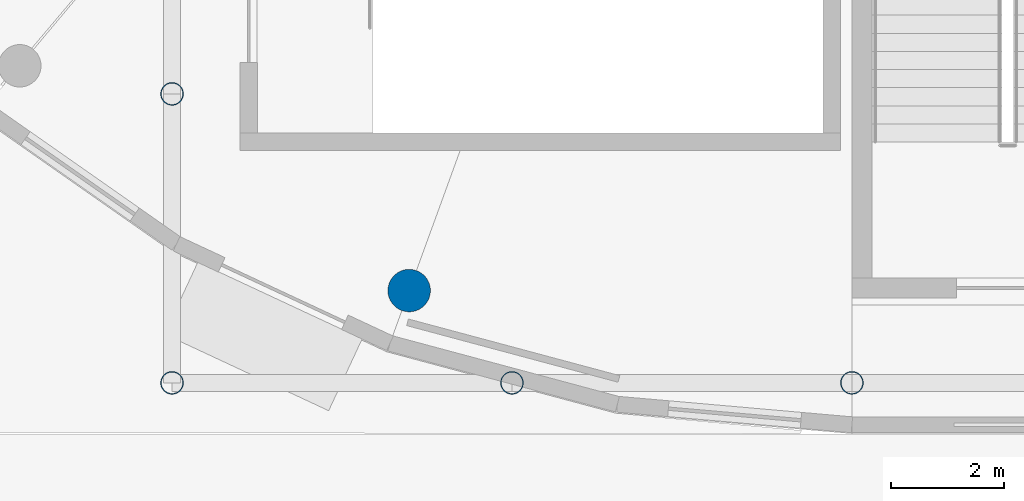
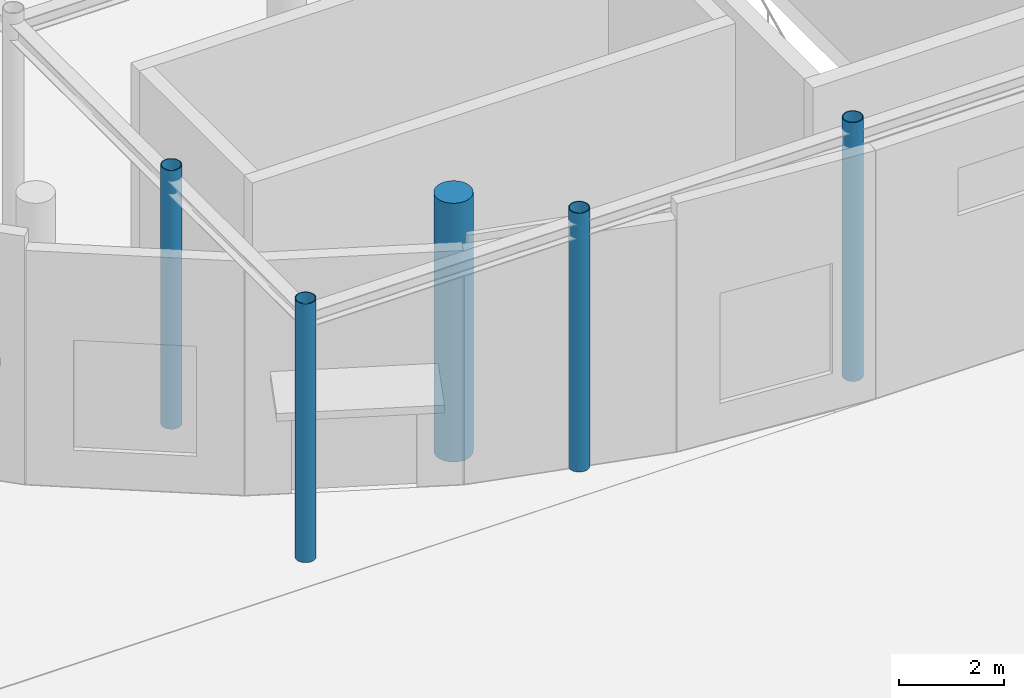
# One storey, part 2 of 118: 5 columns.
"""IFC4 building model written with IfcOpenShell, lengths in metres."""

import ifcopenshell
import ifcopenshell.guid

model = None  # the IFC model being written
_history = None  # IfcOwnerHistory: only IFC2X3 demands one
_inside = {}  # id of a spatial element -> (the spatial element, [elements in it])
_under = {}  # id of a project, library or spatial element -> (it, [spatial elements below it])
_declared = {}  # id of a project -> (the project, [libraries it declares])
_typed = {}  # id of a type object -> (the type object, [elements of that type])
_made_of = {}  # id of a material, layer set ... -> (it, [elements and type objects made of it])


def new_model(schema):
    """Start an empty IFC model of exactly this schema.

    Asked for "IFC4X3", IfcOpenShell would pick the latest addendum, in which some entities
    have other attributes; the version numbers below select the first issue.
    IFC2X3 requires an IfcOwnerHistory on every rooted entity: one is made here for all.
    """
    global model, _history
    if schema == "IFC4X3":
        model = ifcopenshell.file(schema_version=(4, 3, 0, 0))
    else:
        model = ifcopenshell.file(schema=schema)
    _inside.clear()
    _under.clear()
    _declared.clear()
    _typed.clear()
    _made_of.clear()
    _history = None
    if model.schema == "IFC2X3":
        org = make("IfcOrganization", Name="unknown")
        user = make(
            "IfcPersonAndOrganization",
            ThePerson=make("IfcPerson", FamilyName="unknown"),
            TheOrganization=org,
        )
        app = make(
            "IfcApplication",
            ApplicationDeveloper=org,
            Version="unknown",
            ApplicationFullName="unknown",
            ApplicationIdentifier="unknown",
        )
        _history = make(
            "IfcOwnerHistory",
            OwningUser=user,
            OwningApplication=app,
            ChangeAction="ADDED",
            CreationDate=0,
        )
    return model


def make(cls, **values):
    """One entity of the class cls with the attributes given. An attribute that is None is left unset."""
    return model.create_entity(
        cls, **{name: value for name, value in values.items() if value is not None}
    )


def rooted(cls, **values):
    """An entity with a GlobalId (a new one), such as an element, a storey or a relation."""
    return make(cls, GlobalId=ifcopenshell.guid.new(), OwnerHistory=_history, **values)


def si_unit(unit_type, name, prefix=None):
    """IfcSIUnit, for example si_unit("LENGTHUNIT", "METRE", prefix="MILLI")."""
    return make("IfcSIUnit", UnitType=unit_type, Prefix=prefix, Name=name)


def assignment(units):
    """IfcUnitAssignment: the units of a project."""
    return None if units is None else make("IfcUnitAssignment", Units=units)


def point(xyz):
    """IfcCartesianPoint."""
    return None if xyz is None else make("IfcCartesianPoint", Coordinates=xyz)


def direction(xyz):
    """IfcDirection."""
    return None if xyz is None else make("IfcDirection", DirectionRatios=xyz)


def frame(location, z_axis=None, x_axis=None):
    """IfcAxis2Placement3D, a coordinate frame: its origin and axes. An axis left out is left unset."""
    return make(
        "IfcAxis2Placement3D",
        Location=point(location),
        Axis=direction(z_axis),
        RefDirection=direction(x_axis),
    )


def frame_2d(location, x_axis=None):
    """IfcAxis2Placement2D, a coordinate frame in the plane: its origin and x axis."""
    return make(
        "IfcAxis2Placement2D", Location=point(location), RefDirection=direction(x_axis)
    )


def origin():
    """The frame at (0, 0, 0) with its axes left unset."""
    return frame((0.0, 0.0, 0.0))


def origin_2d():
    """The frame at (0, 0) in the plane with its x axis left unset."""
    return frame_2d((0.0, 0.0))


def place(relative_to, where):
    """IfcLocalPlacement: puts the frame where relative to a parent placement (None: the world)."""
    return make(
        "IfcLocalPlacement", PlacementRelTo=relative_to, RelativePlacement=where
    )


def context(
    kind, dimensions, precision=None, world=None, true_north=None, identifier=None
):
    """IfcGeometricRepresentationContext, for example the 3D "Model" context."""
    return make(
        "IfcGeometricRepresentationContext",
        ContextIdentifier=identifier,
        ContextType=kind,
        CoordinateSpaceDimension=dimensions,
        Precision=precision,
        WorldCoordinateSystem=world,
        TrueNorth=true_north,
    )


def subcontext(parent, identifier, kind, view, scale=None):
    """IfcGeometricRepresentationSubContext, for example "Body" below "Model"."""
    return make(
        "IfcGeometricRepresentationSubContext",
        ContextIdentifier=identifier,
        ContextType=kind,
        ParentContext=parent,
        TargetScale=scale,
        TargetView=view,
    )


def project(units=None, contexts=None):
    """IfcProject with its units and contexts."""
    return rooted(
        "IfcProject",
        Name="project",
        RepresentationContexts=contexts,
        UnitsInContext=assignment(units),
    )


def spatial(cls, under=None, at=None, **own):
    """A site, building, storey or space (cls), placed at a placement, below another one or the project."""
    s = rooted(cls, ObjectPlacement=at, **own)
    if under is not None:
        _under.setdefault(under.id(), (under, []))[1].append(s)
    return s


def profile(cls, at=None, kind="AREA", **sizes):
    """A parametric profile (cls). Its sizes go by their IFC names, for example OverallWidth=200.0."""
    return make(cls, ProfileType=kind, Position=at, **sizes)


def circle(**sizes):
    """IfcCircleProfileDef."""
    return profile("IfcCircleProfileDef", **sizes)


def hollow_circle(**sizes):
    """IfcCircleHollowProfileDef."""
    return profile("IfcCircleHollowProfileDef", **sizes)


def extrude(swept, where, along, depth):
    """IfcExtrudedAreaSolid: the profile swept, set in the frame where, extruded along a direction by depth."""
    return make(
        "IfcExtrudedAreaSolid",
        SweptArea=swept,
        Position=where,
        ExtrudedDirection=direction(along),
        Depth=depth,
    )


def shape(context_of_items, identifier, shape_type, items):
    """IfcShapeRepresentation: the items that make up one representation, for example the "Body"."""
    return make(
        "IfcShapeRepresentation",
        ContextOfItems=context_of_items,
        RepresentationIdentifier=identifier,
        RepresentationType=shape_type,
        Items=items,
    )


def material(Name=None, Category=None):
    """IfcMaterial."""
    return make("IfcMaterial", Name=Name, Category=Category)


def material_profile(
    of_material, cross_section, Name=None, Category=None, Priority=None
):
    """IfcMaterialProfile: a cross section and its material."""
    return make(
        "IfcMaterialProfile",
        Name=Name,
        Material=of_material,
        Profile=cross_section,
        Priority=Priority,
        Category=Category,
    )


def profile_set(profiles, Name=None, composite=None):
    """IfcMaterialProfileSet."""
    return make(
        "IfcMaterialProfileSet",
        Name=Name,
        MaterialProfiles=profiles,
        CompositeProfile=composite,
    )


def made_of(thing, what):
    """Note that an element or type object is made of a material, layer set ...; save() writes the relation."""
    if what is not None:
        _made_of.setdefault(what.id(), (what, []))[1].append(thing)
    return thing


def type_object(cls, material=None, **own):
    """A type object (cls), such as IfcWallType, which elements share."""
    return made_of(rooted(cls, **own), material)


def element(
    cls,
    number,
    at=None,
    inside=None,
    cuts=None,
    type_object=None,
    material=None,
    context=None,
    identifier="Body",
    shape_type=None,
    held_by="IfcProductDefinitionShape",
    body=None,
    shapes=None,
    **own,
):
    """One element of the class cls, such as IfcWall. Its Tag is "e" and its number.

    at: its placement. inside: the storey or other place that contains it. cuts: it is an
    opening in that element (IfcRelVoidsElement). A single representation is given by context,
    identifier, shape_type and body (its items); several are given by shapes. held_by: the class
    of the entity that holds the representations. save() writes the other relations.
    """
    e = rooted(cls, Tag="e%d" % number, ObjectPlacement=at, **own)
    if body is not None:
        shapes = [shape(context, identifier, shape_type, body)]
    if shapes is not None:
        e.Representation = make(held_by, Representations=shapes)
    if inside is not None:
        _inside.setdefault(inside.id(), (inside, []))[1].append(e)
    if cuts is not None:
        rooted(
            "IfcRelVoidsElement", RelatingBuildingElement=cuts, RelatedOpeningElement=e
        )
    if type_object is not None:
        _typed.setdefault(type_object.id(), (type_object, []))[1].append(e)
    return made_of(e, material)


def aggregate(whole, parts):
    """IfcRelAggregates: a whole, such as a stair, and the parts it consists of."""
    return rooted("IfcRelAggregates", RelatingObject=whole, RelatedObjects=parts)


def save(model, path):
    """Write the relations noted so far, then the file.

    IfcRelAggregates (storeys below a building ...), IfcRelContainedInSpatialStructure (elements
    in a storey), IfcRelDefinesByType, IfcRelAssociatesMaterial and IfcRelDeclares: one each for
    every whole, place, type object, material and project.
    """
    for whole, parts in _under.values():
        aggregate(whole, parts)
    for where, things in _inside.values():
        rooted(
            "IfcRelContainedInSpatialStructure",
            RelatedElements=things,
            RelatingStructure=where,
        )
    for kind, things in _typed.values():
        rooted("IfcRelDefinesByType", RelatedObjects=things, RelatingType=kind)
    for what, things in _made_of.values():
        rooted("IfcRelAssociatesMaterial", RelatedObjects=things, RelatingMaterial=what)
    for by, libraries in _declared.values():
        rooted("IfcRelDeclares", RelatingContext=by, RelatedDefinitions=libraries)
    model.write(path)


model = new_model("IFC4")

# Units and contexts
model_context = context("Model", 3, precision=1e-05, world=origin(), true_north=direction((0.0, 1.0)))
body_context = subcontext(model_context, "Body", "Model", "MODEL_VIEW")
ifc_project = project(units=[si_unit("LENGTHUNIT", "METRE"), si_unit("AREAUNIT", "SQUARE_METRE"), si_unit("VOLUMEUNIT", "CUBIC_METRE"), si_unit("PLANEANGLEUNIT", "RADIAN"), si_unit("MASSUNIT", "GRAM", prefix="KILO")], contexts=[model_context])

# Site, building, storey
site_placement = place(None, origin())
site = spatial("IfcSite", under=ifc_project, at=site_placement, CompositionType="ELEMENT")
building_placement = place(site_placement, origin())
building = spatial("IfcBuilding", under=site, at=building_placement, Name="Kolvaren Corner Interchange", CompositionType="ELEMENT")
storey_placement = place(building_placement, origin())
storey = spatial("IfcBuildingStorey", under=building, at=storey_placement, Name="L01", CompositionType="ELEMENT", Elevation=0.0)

# Columns
ifc_material_1 = material(Name="Steel S355", Category="steel")
ifc_material_profile_1 = material_profile(ifc_material_1, hollow_circle(Radius=0.203125, WallThickness=0.01611328125, at=origin_2d()), Name="CHS 406.4x16.0")
ifc_profile_set_1 = profile_set([ifc_material_profile_1], Name="Steel S355")
column_type_1 = type_object("IfcColumnType", Name="COL-CHS406", PredefinedType="COLUMN", material=ifc_profile_set_1)
for number, where, z_axis, x_axis, name in (
    (1, (60.0, 24.89990234375, 0.0), (0.0, 0.0, 1.0), (1.0, 0.0, 0.0), "Storey L01 Structural Column 0470"),
    (2, (48.0, 24.89990234375, 0.0), (0.0, 0.0, 1.0), (1.0, 0.0, 0.0), "Storey L01 Structural Column 0678"),
    (3, (48.0, 30.0, 0.0), (0.0, 0.0, 1.0), (1.0, 0.0, 0.0), "Storey L01 Structural Column 0682"),
    (4, (54.0, 24.89990234375, 0.0), (0.0, 0.0, 1.0), (1.0, 0.0, 0.0), "Storey L01 Structural Column 0714"),
):
    element("IfcColumn", number, at=place(storey_placement, frame(where, z_axis=z_axis, x_axis=x_axis)), inside=storey, type_object=column_type_1, Name=name, PredefinedType="COLUMN", context=body_context, shape_type="SweptSolid", body=[
        extrude(hollow_circle(Radius=0.203125, WallThickness=0.01611328125, at=origin_2d()), origin(), (0.0, 0.0, 1.0), 6.0),
    ])
ifc_material_2 = material(Name="Concrete C35/45", Category="concrete")
ifc_material_profile_2 = material_profile(ifc_material_2, circle(Radius=0.375, at=origin_2d()), Name="RC COL D750")
ifc_profile_set_2 = profile_set([ifc_material_profile_2], Name="Concrete C35/45")
column_type_2 = type_object("IfcColumnType", Name="COL-RCD750", PredefinedType="COLUMN", material=ifc_profile_set_2)
column_placement = place(storey_placement, frame((52.18505859375, 26.528076171875, 0.0), z_axis=(0.0, 0.0, 1.0), x_axis=(1.0, 0.0, 0.0)))
element("IfcColumn", 5, at=column_placement, inside=storey, type_object=column_type_2, Name="Storey L01 Structural Column 0812", PredefinedType="COLUMN", context=body_context, shape_type="SweptSolid", body=[
    extrude(circle(Radius=0.375, at=origin_2d()), origin(), (0.0, 0.0, 1.0), 6.0),
])

save(model, "model.ifc")
